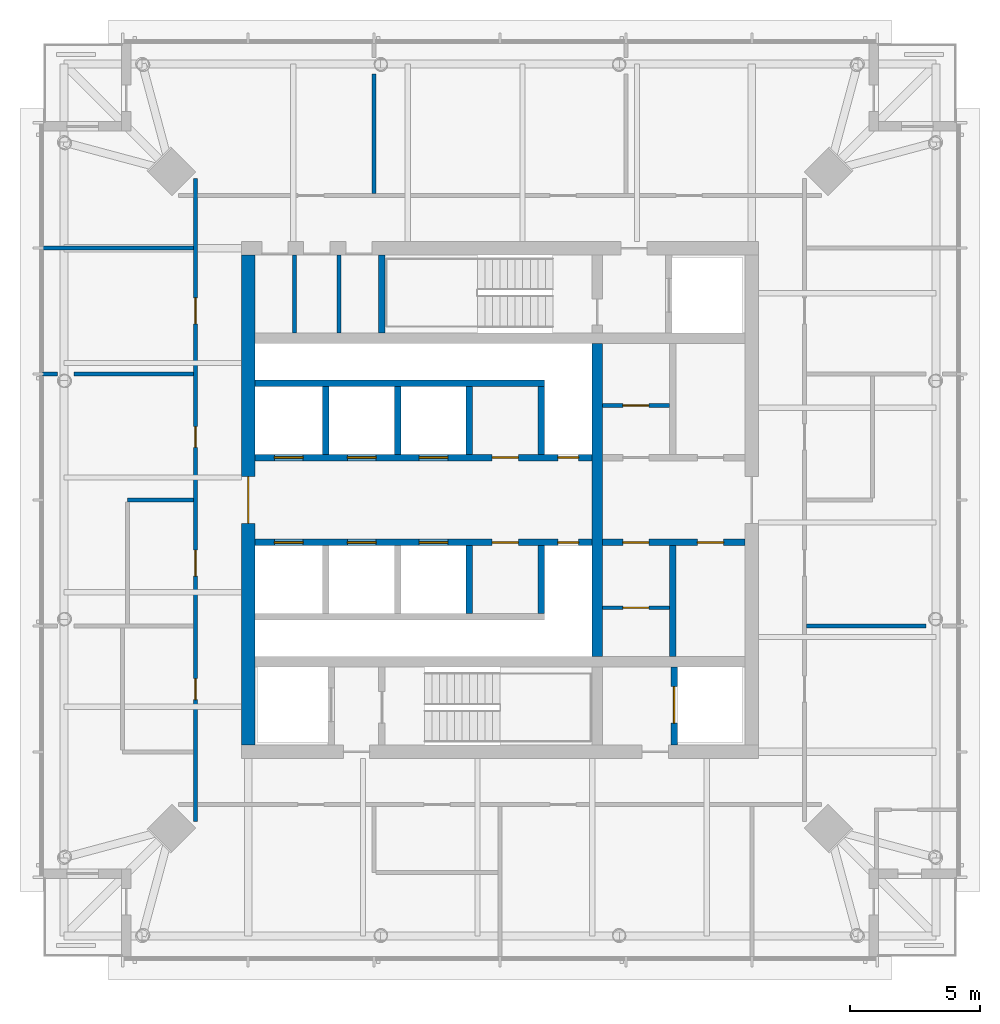
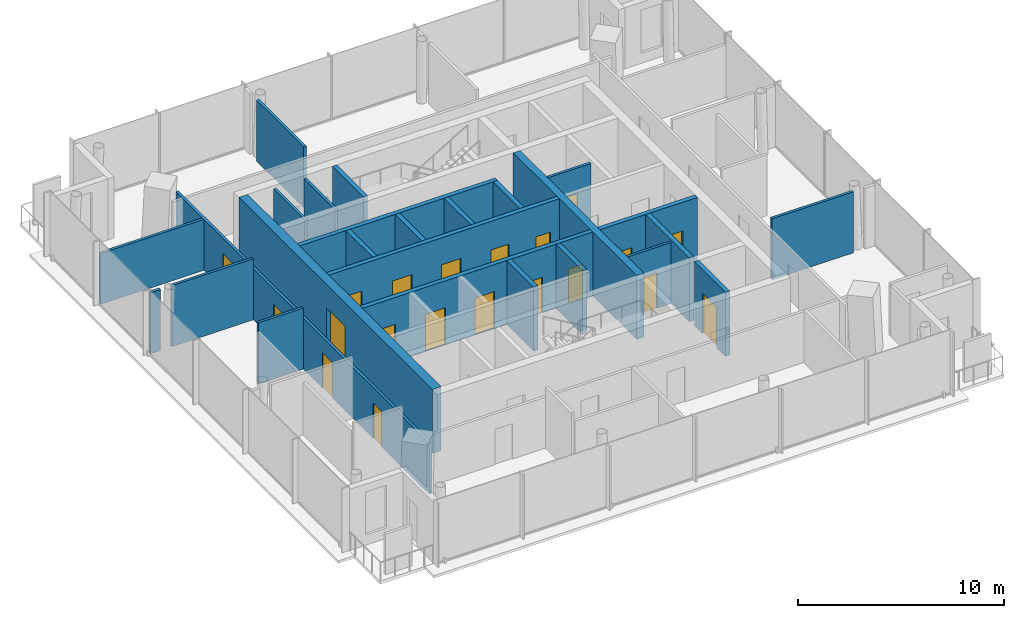
# One storey, part 4 of 11: 26 walls, 20 doors, 20 openings.
"""IFC4 building model written with IfcOpenShell, lengths in metres."""

from ifc_helpers import new_model, si_unit, direction, frame, frame_2d, origin, place, context, subcontext, project, spatial, rectangle, extrude, material, layer, layer_set, type_object, element, fill, save


model = new_model("IFC4")

# Units and contexts
model_context = context("Model", 3, precision=1e-05, world=origin(), true_north=direction((0.0, 1.0)))
body_context = subcontext(model_context, "Body", "Model", "MODEL_VIEW")
ifc_project = project(units=[si_unit("LENGTHUNIT", "METRE"), si_unit("AREAUNIT", "SQUARE_METRE"), si_unit("VOLUMEUNIT", "CUBIC_METRE"), si_unit("PLANEANGLEUNIT", "RADIAN"), si_unit("MASSUNIT", "GRAM", prefix="KILO")], contexts=[model_context])

# Site, building, storey
site_placement = place(None, origin())
site = spatial("IfcSite", under=ifc_project, at=site_placement, CompositionType="ELEMENT")
building_placement = place(site_placement, origin())
building = spatial("IfcBuilding", under=site, at=building_placement, Name="Ostroluk Exchange", CompositionType="ELEMENT")
storey_placement = place(building_placement, frame((0.0, 0.0, 249.0)))
storey = spatial("IfcBuildingStorey", under=building, at=storey_placement, Name="L64", CompositionType="ELEMENT", Elevation=249.0)

# Walls
ifc_material_1 = material(Name="Concrete blockwork", Category="masonry")
ifc_layer_1 = layer(ifc_material_1, 0.14990234375)
ifc_layer_set_1 = layer_set([ifc_layer_1], Name="Blockwork plant room wall 150")
wall_type_1 = type_object("IfcWallType", Name="Blockwork plant room wall 150", PredefinedType="SOLIDWALL", material=ifc_layer_set_1)
for number, where, z_axis, x_axis, name in (
    (1, (37.1201171875, 52.39990234375, 0.0), (0.0, 0.0, 1.0), (0.0, 1.0, 0.0), "Core room wall"),
    (2, (38.830078125, 52.39990234375, 0.0), (0.0, 0.0, 1.0), (0.0, 1.0, 0.0), "Core room wall"),
):
    element("IfcWall", number, at=place(storey_placement, frame(where, z_axis=z_axis, x_axis=x_axis)), inside=storey, type_object=wall_type_1, Name=name, PredefinedType="SOLIDWALL", context=body_context, shape_type="SweptSolid", body=[
        extrude(rectangle(XDim=3.0, YDim=0.14990234375, at=frame_2d((1.5, 0.0))), origin(), (0.0, 0.0, 1.0), 3.6201171875),
    ])

# Wall, opening, door
wall_1_placement = place(storey_placement, frame((48.929931640625, 49.6201171875, 0.0), z_axis=(0.0, 0.0, 1.0), x_axis=(1.0, 0.0, 0.0)))
wall_1 = element("IfcWall", 3, at=wall_1_placement, inside=storey, type_object=wall_type_1, Name="Core room wall", PredefinedType="SOLIDWALL", context=body_context, shape_type="SweptSolid", body=[
    extrude(rectangle(XDim=2.56005859375, YDim=0.14990234375, at=frame_2d((1.280029296875, 0.0))), origin(), (0.0, 0.0, 1.0), 3.6201171875),
])
opening_1_placement = place(wall_1_placement, frame((0.780029296875, 0.0, 0.0)))
opening_1 = element("IfcOpeningElement", 4, at=opening_1_placement, cuts=wall_1, Name="Opening FD60", PredefinedType="OPENING", context=body_context, shape_type="SweptSolid", body=[
    extrude(rectangle(XDim=1.0, YDim=2.10009765625, at=frame_2d((0.5, 1.050048828125))), frame((0.0, 0.0849609375, 0.0), z_axis=(0.0, -1.0, 0.0), x_axis=(1.0, 0.0, 0.0)), (0.0, 0.0, 1.0), 0.169921875),
])
ifc_material_2 = material(Name="Steel", Category="steel")
door_type_1 = type_object("IfcDoorType", Name="Fire door EI 60 1000 x 2100", OperationType="SINGLE_SWING_LEFT", PredefinedType="DOOR", material=ifc_material_2)
door_1_placement = place(opening_1_placement, origin())
door_1 = element("IfcDoor", 5, at=door_1_placement, inside=storey, type_object=door_type_1, Name="Archive store door", OperationType="SINGLE_SWING_LEFT", OverallHeight=2.10009765625, OverallWidth=1.0, PredefinedType="DOOR", context=body_context, shape_type="SweptSolid", body=[
    extrude(rectangle(XDim=1.0, YDim=2.10009765625, at=frame_2d((0.5, 1.050048828125))), frame((0.0, 0.02490234375, 0.0), z_axis=(0.0, -1.0, 0.0), x_axis=(1.0, 0.0, 0.0)), (0.0, 0.0, 1.0), 0.050048828125),
])
fill(opening_1, door_1)

wall_2_placement = place(storey_placement, frame((48.929931640625, 41.8701171875, 0.0), z_axis=(0.0, 0.0, 1.0), x_axis=(1.0, 0.0, 0.0)))
wall_2 = element("IfcWall", 6, at=wall_2_placement, inside=storey, type_object=wall_type_1, Name="Core room wall", PredefinedType="SOLIDWALL", context=body_context, shape_type="SweptSolid", body=[
    extrude(rectangle(XDim=2.56005859375, YDim=0.14990234375, at=frame_2d((1.280029296875, 0.0))), origin(), (0.0, 0.0, 1.0), 3.6201171875),
])
opening_2_placement = place(wall_2_placement, frame((0.780029296875, 0.0, 0.0)))
opening_2 = element("IfcOpeningElement", 7, at=opening_2_placement, cuts=wall_2, Name="Opening FD60", PredefinedType="OPENING", context=body_context, shape_type="SweptSolid", body=[
    extrude(rectangle(XDim=1.0, YDim=2.10009765625, at=frame_2d((0.5, 1.050048828125))), frame((0.0, 0.0849609375, 0.0), z_axis=(0.0, -1.0, 0.0), x_axis=(1.0, 0.0, 0.0)), (0.0, 0.0, 1.0), 0.169921875),
])
door_2_placement = place(opening_2_placement, origin())
door_2 = element("IfcDoor", 8, at=door_2_placement, inside=storey, type_object=door_type_1, Name="Equipment store door", OperationType="SINGLE_SWING_LEFT", OverallHeight=2.10009765625, OverallWidth=1.0, PredefinedType="DOOR", context=body_context, shape_type="SweptSolid", body=[
    extrude(rectangle(XDim=1.0, YDim=2.10009765625, at=frame_2d((0.5, 1.050048828125))), frame((0.0, 0.02490234375, 0.0), z_axis=(0.0, -1.0, 0.0), x_axis=(1.0, 0.0, 0.0)), (0.0, 0.0, 1.0), 0.050048828125),
])
fill(opening_2, door_2)

# Wall
ifc_material_3 = material(Name="Concrete C50/60", Category="concrete")
ifc_layer_2 = layer(ifc_material_3, 0.39990234375)
ifc_layer_set_2 = layer_set([ifc_layer_2], Name="Core cross wall 400 C50/60")
wall_type_2 = type_object("IfcWallType", Name="Core cross wall 400 C50/60", PredefinedType="SHEAR", material=ifc_layer_set_2)
wall_3_placement = place(storey_placement, frame((48.72998046875, 40.0, 0.0), z_axis=(0.0, 0.0, 1.0), x_axis=(0.0, 1.0, 0.0)))
element("IfcWall", 9, at=wall_3_placement, inside=storey, type_object=wall_type_2, Name="T1 core wall YE2", PredefinedType="SHEAR", context=body_context, shape_type="SweptSolid", body=[
    extrude(rectangle(XDim=12.0, YDim=0.39990234375, at=frame_2d((6.0, 0.0))), origin(), (0.0, 0.0, 1.0), 3.800048828125),
])

# Wall, opening, door
ifc_material_4 = material(Name="Concrete C40/50", Category="concrete")
ifc_layer_3 = layer(ifc_material_4, 0.25)
ifc_layer_set_3 = layer_set([ifc_layer_3], Name="Core shaft wall 250")
wall_type_3 = type_object("IfcWallType", Name="Core shaft wall 250", PredefinedType="SHEAR", material=ifc_layer_set_3)
wall_4_placement = place(storey_placement, frame((51.675048828125, 36.60009765625, 0.0), z_axis=(0.0, 0.0, 1.0), x_axis=(0.0, 1.0, 0.0)))
wall_4 = element("IfcWall", 10, at=wall_4_placement, inside=storey, type_object=wall_type_3, Name="Service lift shaft wall", PredefinedType="SHEAR", context=body_context, shape_type="SweptSolid", body=[
    extrude(rectangle(XDim=3.0, YDim=0.25, at=frame_2d((1.5, 0.0))), origin(), (0.0, 0.0, 1.0), 3.800048828125),
])
opening_3_placement = place(wall_4_placement, frame((0.85009765625, 0.0, 0.0)))
opening_3 = element("IfcOpeningElement", 11, at=opening_3_placement, cuts=wall_4, Name="Opening LD3", PredefinedType="OPENING", context=body_context, shape_type="SweptSolid", body=[
    extrude(rectangle(XDim=1.39990234375, YDim=2.39990234375, at=frame_2d((0.699951171875, 1.199951171875))), frame((0.0, 0.135009765625, 0.0), z_axis=(0.0, -1.0, 0.0), x_axis=(1.0, 0.0, 0.0)), (0.0, 0.0, 1.0), 0.27001953125),
])
ifc_material_5 = material(Name="Stainless steel", Category="steel")
door_type_2 = type_object("IfcDoorType", Name="Goods lift landing door E 60 1400 x 2400", OperationType="DOUBLE_DOOR_SLIDING", PredefinedType="DOOR", material=ifc_material_5)
door_3_placement = place(opening_3_placement, origin())
door_3 = element("IfcDoor", 12, at=door_3_placement, inside=storey, type_object=door_type_2, Name="Lift SL1 landing door", OperationType="DOUBLE_DOOR_SLIDING", OverallHeight=2.39990234375, OverallWidth=1.39990234375, PredefinedType="DOOR", context=body_context, shape_type="SweptSolid", body=[
    extrude(rectangle(XDim=1.39990234375, YDim=2.39990234375, at=frame_2d((0.699951171875, 1.199951171875))), frame((0.0, 0.02490234375, 0.0), z_axis=(0.0, -1.0, 0.0), x_axis=(1.0, 0.0, 0.0)), (0.0, 0.0, 1.0), 0.050048828125),
])
fill(opening_3, door_3)

# Walls
wall_5_placement = place(storey_placement, frame((40.47509765625, 52.39990234375, 0.0), z_axis=(0.0, 0.0, 1.0), x_axis=(0.0, 1.0, 0.0)))
element("IfcWall", 13, at=wall_5_placement, inside=storey, type_object=wall_type_3, Name="Stair shaft wall", PredefinedType="SHEAR", context=body_context, shape_type="SweptSolid", body=[
    extrude(rectangle(XDim=3.0, YDim=0.25, at=frame_2d((1.5, 0.0))), origin(), (0.0, 0.0, 1.0), 3.800048828125),
])
for number, where, z_axis, x_axis, name in (
    (14, (38.324951171875, 47.75, 0.0), (0.0, 0.0, 1.0), (0.0, 1.0, 0.0), "Lift shaft wall"),
    (15, (41.074951171875, 47.75, 0.0), (0.0, 0.0, 1.0), (0.0, 1.0, 0.0), "Lift shaft wall"),
    (16, (43.824951171875, 47.75, 0.0), (0.0, 0.0, 1.0), (0.0, 1.0, 0.0), "Lift shaft wall"),
    (17, (46.574951171875, 47.75, 0.0), (0.0, 0.0, 1.0), (0.0, 1.0, 0.0), "Lift shaft wall"),
):
    element("IfcWall", number, at=place(storey_placement, frame(where, z_axis=z_axis, x_axis=x_axis)), inside=storey, type_object=wall_type_3, Name=name, PredefinedType="SHEAR", context=body_context, shape_type="SweptSolid", body=[
        extrude(rectangle(XDim=2.60009765625, YDim=0.25, at=frame_2d((1.300048828125, 0.0))), origin(), (0.0, 0.0, 1.0), 3.800048828125),
    ])
wall_6_placement = place(storey_placement, frame((35.60009765625, 50.47509765625, 0.0), z_axis=(0.0, 0.0, 1.0), x_axis=(1.0, 0.0, 0.0)))
element("IfcWall", 18, at=wall_6_placement, inside=storey, type_object=wall_type_3, Name="Lift shaft wall", PredefinedType="SHEAR", context=body_context, shape_type="SweptSolid", body=[
    extrude(rectangle(XDim=11.099853515625, YDim=0.25, at=frame_2d((5.5498046875, 0.0))), origin(), (0.0, 0.0, 1.0), 3.800048828125),
])

# Wall, openings, doors
wall_7_placement = place(storey_placement, frame((35.60009765625, 47.625, 0.0), z_axis=(0.0, 0.0, 1.0), x_axis=(1.0, 0.0, 0.0)))
wall_7 = element("IfcWall", 19, at=wall_7_placement, inside=storey, type_object=wall_type_3, Name="Lift shaft front wall", PredefinedType="SHEAR", context=body_context, shape_type="SweptSolid", body=[
    extrude(rectangle(XDim=12.929931640625, YDim=0.25, at=frame_2d((6.46484375, 0.0))), origin(), (0.0, 0.0, 1.0), 3.800048828125),
])
opening_4_placement = place(wall_7_placement, frame((0.75, 0.0, 0.0)))
opening_4 = element("IfcOpeningElement", 20, at=opening_4_placement, cuts=wall_7, Name="Opening LD", PredefinedType="OPENING", context=body_context, shape_type="SweptSolid", body=[
    extrude(rectangle(XDim=1.10009765625, YDim=2.199951171875, at=frame_2d((0.550048828125, 1.10009765625))), frame((0.0, 0.135009765625, 0.0), z_axis=(0.0, -1.0, 0.0), x_axis=(1.0, 0.0, 0.0)), (0.0, 0.0, 1.0), 0.27001953125),
])
opening_5_placement = place(wall_7_placement, frame((3.550048828125, 0.0, 0.0)))
opening_5 = element("IfcOpeningElement", 21, at=opening_5_placement, cuts=wall_7, Name="Opening LD", PredefinedType="OPENING", context=body_context, shape_type="SweptSolid", body=[
    extrude(rectangle(XDim=1.10009765625, YDim=2.199951171875, at=frame_2d((0.550048828125, 1.10009765625))), frame((0.0, 0.135009765625, 0.0), z_axis=(0.0, -1.0, 0.0), x_axis=(1.0, 0.0, 0.0)), (0.0, 0.0, 1.0), 0.27001953125),
])
opening_6_placement = place(wall_7_placement, frame((6.300048828125, 0.0, 0.0)))
opening_6 = element("IfcOpeningElement", 22, at=opening_6_placement, cuts=wall_7, Name="Opening LD", PredefinedType="OPENING", context=body_context, shape_type="SweptSolid", body=[
    extrude(rectangle(XDim=1.10009765625, YDim=2.199951171875, at=frame_2d((0.550048828125, 1.10009765625))), frame((0.0, 0.135009765625, 0.0), z_axis=(0.0, -1.0, 0.0), x_axis=(1.0, 0.0, 0.0)), (0.0, 0.0, 1.0), 0.27001953125),
])
opening_7_placement = place(wall_7_placement, frame((9.10009765625, 0.0, 0.0)))
opening_7 = element("IfcOpeningElement", 23, at=opening_7_placement, cuts=wall_7, Name="Opening FD60", PredefinedType="OPENING", context=body_context, shape_type="SweptSolid", body=[
    extrude(rectangle(XDim=1.0, YDim=2.10009765625, at=frame_2d((0.5, 1.050048828125))), frame((0.0, 0.135009765625, 0.0), z_axis=(0.0, -1.0, 0.0), x_axis=(1.0, 0.0, 0.0)), (0.0, 0.0, 1.0), 0.27001953125),
])
opening_8_placement = place(wall_7_placement, frame((11.614990234375, 0.0, 0.0)))
opening_8 = element("IfcOpeningElement", 24, at=opening_8_placement, cuts=wall_7, Name="Opening RD60", PredefinedType="OPENING", context=body_context, shape_type="SweptSolid", body=[
    extrude(rectangle(XDim=0.800048828125, YDim=2.0, at=frame_2d((0.39990234375, 1.0))), frame((0.0, 0.135009765625, 0.0), z_axis=(0.0, -1.0, 0.0), x_axis=(1.0, 0.0, 0.0)), (0.0, 0.0, 1.0), 0.27001953125),
])
door_4_placement = place(opening_7_placement, origin())
door_4 = element("IfcDoor", 25, at=door_4_placement, inside=storey, type_object=door_type_1, Name="Core room door", OperationType="SINGLE_SWING_RIGHT", OverallHeight=2.10009765625, OverallWidth=1.0, PredefinedType="DOOR", context=body_context, shape_type="SweptSolid", body=[
    extrude(rectangle(XDim=1.0, YDim=2.10009765625, at=frame_2d((0.5, 1.050048828125))), frame((0.0, 0.02490234375, 0.0), z_axis=(0.0, -1.0, 0.0), x_axis=(1.0, 0.0, 0.0)), (0.0, 0.0, 1.0), 0.050048828125),
])
fill(opening_7, door_4)
ifc_material_6 = material(Name="Stainless steel", Category="steel")
door_type_3 = type_object("IfcDoorType", Name="Lift landing door E 60 1100 x 2200", OperationType="DOUBLE_DOOR_SLIDING", PredefinedType="DOOR", material=ifc_material_6)
door_5_placement = place(opening_4_placement, origin())
door_5 = element("IfcDoor", 26, at=door_5_placement, inside=storey, type_object=door_type_3, Name="Lift PL-T1 landing door", OperationType="DOUBLE_DOOR_SLIDING", OverallHeight=2.199951171875, OverallWidth=1.10009765625, PredefinedType="DOOR", context=body_context, shape_type="SweptSolid", body=[
    extrude(rectangle(XDim=1.10009765625, YDim=2.199951171875, at=frame_2d((0.550048828125, 1.10009765625))), frame((0.0, 0.02490234375, 0.0), z_axis=(0.0, -1.0, 0.0), x_axis=(1.0, 0.0, 0.0)), (0.0, 0.0, 1.0), 0.050048828125),
])
fill(opening_4, door_5)
door_6_placement = place(opening_5_placement, origin())
door_6 = element("IfcDoor", 27, at=door_6_placement, inside=storey, type_object=door_type_3, Name="Lift PL-T2 landing door", OperationType="DOUBLE_DOOR_SLIDING", OverallHeight=2.199951171875, OverallWidth=1.10009765625, PredefinedType="DOOR", context=body_context, shape_type="SweptSolid", body=[
    extrude(rectangle(XDim=1.10009765625, YDim=2.199951171875, at=frame_2d((0.550048828125, 1.10009765625))), frame((0.0, 0.02490234375, 0.0), z_axis=(0.0, -1.0, 0.0), x_axis=(1.0, 0.0, 0.0)), (0.0, 0.0, 1.0), 0.050048828125),
])
fill(opening_5, door_6)
door_7_placement = place(opening_6_placement, origin())
door_7 = element("IfcDoor", 28, at=door_7_placement, inside=storey, type_object=door_type_3, Name="Lift PL-T3 landing door", OperationType="DOUBLE_DOOR_SLIDING", OverallHeight=2.199951171875, OverallWidth=1.10009765625, PredefinedType="DOOR", context=body_context, shape_type="SweptSolid", body=[
    extrude(rectangle(XDim=1.10009765625, YDim=2.199951171875, at=frame_2d((0.550048828125, 1.10009765625))), frame((0.0, 0.02490234375, 0.0), z_axis=(0.0, -1.0, 0.0), x_axis=(1.0, 0.0, 0.0)), (0.0, 0.0, 1.0), 0.050048828125),
])
fill(opening_6, door_7)
ifc_material_7 = material(Name="Steel", Category="steel")
door_type_4 = type_object("IfcDoorType", Name="Riser access door EI 60 800 x 2000", OperationType="SINGLE_SWING_LEFT", PredefinedType="DOOR", material=ifc_material_7)
door_8_placement = place(opening_8_placement, origin())
door_8 = element("IfcDoor", 29, at=door_8_placement, inside=storey, type_object=door_type_4, Name="Riser access door", OperationType="SINGLE_SWING_RIGHT", OverallHeight=2.0, OverallWidth=0.800048828125, PredefinedType="DOOR", context=body_context, shape_type="SweptSolid", body=[
    extrude(rectangle(XDim=0.800048828125, YDim=2.0, at=frame_2d((0.39990234375, 1.0))), frame((0.0, 0.02490234375, 0.0), z_axis=(0.0, -1.0, 0.0), x_axis=(1.0, 0.0, 0.0)), (0.0, 0.0, 1.0), 0.050048828125),
])
fill(opening_8, door_8)

# Walls
for number, where, z_axis, x_axis, name in (
    (30, (43.824951171875, 44.25, 0.0), (0.0, 0.0, 1.0), (0.0, -1.0, 0.0), "Lift shaft wall"),
    (31, (46.574951171875, 44.25, 0.0), (0.0, 0.0, 1.0), (0.0, -1.0, 0.0), "Lift shaft wall"),
):
    element("IfcWall", number, at=place(storey_placement, frame(where, z_axis=z_axis, x_axis=x_axis)), inside=storey, type_object=wall_type_3, Name=name, PredefinedType="SHEAR", context=body_context, shape_type="SweptSolid", body=[
        extrude(rectangle(XDim=2.60009765625, YDim=0.25, at=frame_2d((1.300048828125, 0.0))), origin(), (0.0, 0.0, 1.0), 3.800048828125),
    ])

# Wall, openings, doors
wall_8_placement = place(storey_placement, frame((35.60009765625, 44.375, 0.0), z_axis=(0.0, 0.0, 1.0), x_axis=(1.0, 0.0, 0.0)))
wall_8 = element("IfcWall", 32, at=wall_8_placement, inside=storey, type_object=wall_type_3, Name="Lift shaft front wall", PredefinedType="SHEAR", context=body_context, shape_type="SweptSolid", body=[
    extrude(rectangle(XDim=12.929931640625, YDim=0.25, at=frame_2d((6.46484375, 0.0))), origin(), (0.0, 0.0, 1.0), 3.800048828125),
])
opening_9_placement = place(wall_8_placement, frame((0.75, 0.0, 0.0)))
opening_9 = element("IfcOpeningElement", 33, at=opening_9_placement, cuts=wall_8, Name="Opening LD", PredefinedType="OPENING", context=body_context, shape_type="SweptSolid", body=[
    extrude(rectangle(XDim=1.10009765625, YDim=2.199951171875, at=frame_2d((0.550048828125, 1.10009765625))), frame((0.0, 0.135009765625, 0.0), z_axis=(0.0, -1.0, 0.0), x_axis=(1.0, 0.0, 0.0)), (0.0, 0.0, 1.0), 0.27001953125),
])
opening_10_placement = place(wall_8_placement, frame((3.550048828125, 0.0, 0.0)))
opening_10 = element("IfcOpeningElement", 34, at=opening_10_placement, cuts=wall_8, Name="Opening LD", PredefinedType="OPENING", context=body_context, shape_type="SweptSolid", body=[
    extrude(rectangle(XDim=1.10009765625, YDim=2.199951171875, at=frame_2d((0.550048828125, 1.10009765625))), frame((0.0, 0.135009765625, 0.0), z_axis=(0.0, -1.0, 0.0), x_axis=(1.0, 0.0, 0.0)), (0.0, 0.0, 1.0), 0.27001953125),
])
opening_11_placement = place(wall_8_placement, frame((6.300048828125, 0.0, 0.0)))
opening_11 = element("IfcOpeningElement", 35, at=opening_11_placement, cuts=wall_8, Name="Opening LD", PredefinedType="OPENING", context=body_context, shape_type="SweptSolid", body=[
    extrude(rectangle(XDim=1.10009765625, YDim=2.199951171875, at=frame_2d((0.550048828125, 1.10009765625))), frame((0.0, 0.135009765625, 0.0), z_axis=(0.0, -1.0, 0.0), x_axis=(1.0, 0.0, 0.0)), (0.0, 0.0, 1.0), 0.27001953125),
])
opening_12_placement = place(wall_8_placement, frame((9.10009765625, 0.0, 0.0)))
opening_12 = element("IfcOpeningElement", 36, at=opening_12_placement, cuts=wall_8, Name="Opening FD60", PredefinedType="OPENING", context=body_context, shape_type="SweptSolid", body=[
    extrude(rectangle(XDim=1.0, YDim=2.10009765625, at=frame_2d((0.5, 1.050048828125))), frame((0.0, 0.135009765625, 0.0), z_axis=(0.0, -1.0, 0.0), x_axis=(1.0, 0.0, 0.0)), (0.0, 0.0, 1.0), 0.27001953125),
])
opening_13_placement = place(wall_8_placement, frame((11.614990234375, 0.0, 0.0)))
opening_13 = element("IfcOpeningElement", 37, at=opening_13_placement, cuts=wall_8, Name="Opening RD60", PredefinedType="OPENING", context=body_context, shape_type="SweptSolid", body=[
    extrude(rectangle(XDim=0.800048828125, YDim=2.0, at=frame_2d((0.39990234375, 1.0))), frame((0.0, 0.135009765625, 0.0), z_axis=(0.0, -1.0, 0.0), x_axis=(1.0, 0.0, 0.0)), (0.0, 0.0, 1.0), 0.27001953125),
])
door_9_placement = place(opening_12_placement, origin())
door_9 = element("IfcDoor", 38, at=door_9_placement, inside=storey, type_object=door_type_1, Name="Core room door", OperationType="SINGLE_SWING_RIGHT", OverallHeight=2.10009765625, OverallWidth=1.0, PredefinedType="DOOR", context=body_context, shape_type="SweptSolid", body=[
    extrude(rectangle(XDim=1.0, YDim=2.10009765625, at=frame_2d((0.5, 1.050048828125))), frame((0.0, 0.02490234375, 0.0), z_axis=(0.0, -1.0, 0.0), x_axis=(1.0, 0.0, 0.0)), (0.0, 0.0, 1.0), 0.050048828125),
])
fill(opening_12, door_9)
door_10_placement = place(opening_9_placement, origin())
door_10 = element("IfcDoor", 39, at=door_10_placement, inside=storey, type_object=door_type_3, Name="Lift PL-T4 landing door", OperationType="DOUBLE_DOOR_SLIDING", OverallHeight=2.199951171875, OverallWidth=1.10009765625, PredefinedType="DOOR", context=body_context, shape_type="SweptSolid", body=[
    extrude(rectangle(XDim=1.10009765625, YDim=2.199951171875, at=frame_2d((0.550048828125, 1.10009765625))), frame((0.0, 0.02490234375, 0.0), z_axis=(0.0, -1.0, 0.0), x_axis=(1.0, 0.0, 0.0)), (0.0, 0.0, 1.0), 0.050048828125),
])
fill(opening_9, door_10)
door_11_placement = place(opening_10_placement, origin())
door_11 = element("IfcDoor", 40, at=door_11_placement, inside=storey, type_object=door_type_3, Name="Lift PL-T5 landing door", OperationType="DOUBLE_DOOR_SLIDING", OverallHeight=2.199951171875, OverallWidth=1.10009765625, PredefinedType="DOOR", context=body_context, shape_type="SweptSolid", body=[
    extrude(rectangle(XDim=1.10009765625, YDim=2.199951171875, at=frame_2d((0.550048828125, 1.10009765625))), frame((0.0, 0.02490234375, 0.0), z_axis=(0.0, -1.0, 0.0), x_axis=(1.0, 0.0, 0.0)), (0.0, 0.0, 1.0), 0.050048828125),
])
fill(opening_10, door_11)
door_12_placement = place(opening_11_placement, origin())
door_12 = element("IfcDoor", 41, at=door_12_placement, inside=storey, type_object=door_type_3, Name="Lift PL-T6 landing door", OperationType="DOUBLE_DOOR_SLIDING", OverallHeight=2.199951171875, OverallWidth=1.10009765625, PredefinedType="DOOR", context=body_context, shape_type="SweptSolid", body=[
    extrude(rectangle(XDim=1.10009765625, YDim=2.199951171875, at=frame_2d((0.550048828125, 1.10009765625))), frame((0.0, 0.02490234375, 0.0), z_axis=(0.0, -1.0, 0.0), x_axis=(1.0, 0.0, 0.0)), (0.0, 0.0, 1.0), 0.050048828125),
])
fill(opening_11, door_12)
door_13_placement = place(opening_13_placement, origin())
door_13 = element("IfcDoor", 42, at=door_13_placement, inside=storey, type_object=door_type_4, Name="Riser access door", OperationType="SINGLE_SWING_RIGHT", OverallHeight=2.0, OverallWidth=0.800048828125, PredefinedType="DOOR", context=body_context, shape_type="SweptSolid", body=[
    extrude(rectangle(XDim=0.800048828125, YDim=2.0, at=frame_2d((0.39990234375, 1.0))), frame((0.0, 0.02490234375, 0.0), z_axis=(0.0, -1.0, 0.0), x_axis=(1.0, 0.0, 0.0)), (0.0, 0.0, 1.0), 0.050048828125),
])
fill(opening_13, door_13)

# Wall
wall_9_placement = place(storey_placement, frame((51.614990234375, 44.25, 0.0), z_axis=(0.0, 0.0, 1.0), x_axis=(0.0, -1.0, 0.0)))
element("IfcWall", 43, at=wall_9_placement, inside=storey, type_object=wall_type_3, Name="Lift shaft wall", PredefinedType="SHEAR", context=body_context, shape_type="SweptSolid", body=[
    extrude(rectangle(XDim=4.25, YDim=0.25, at=frame_2d((2.125, 0.0))), origin(), (0.0, 0.0, 1.0), 3.800048828125),
])

# Wall, openings, doors
wall_10_placement = place(storey_placement, frame((48.929931640625, 44.375, 0.0), z_axis=(0.0, 0.0, 1.0), x_axis=(1.0, 0.0, 0.0)))
wall_10 = element("IfcWall", 44, at=wall_10_placement, inside=storey, type_object=wall_type_3, Name="Lift shaft front wall", PredefinedType="SHEAR", context=body_context, shape_type="SweptSolid", body=[
    extrude(rectangle(XDim=5.469970703125, YDim=0.25, at=frame_2d((2.73486328125, 0.0))), origin(), (0.0, 0.0, 1.0), 3.800048828125),
])
opening_14_placement = place(wall_10_placement, frame((0.780029296875, 0.0, 0.0)))
opening_14 = element("IfcOpeningElement", 45, at=opening_14_placement, cuts=wall_10, Name="Opening FD60", PredefinedType="OPENING", context=body_context, shape_type="SweptSolid", body=[
    extrude(rectangle(XDim=1.0, YDim=2.10009765625, at=frame_2d((0.5, 1.050048828125))), frame((0.0, 0.135009765625, 0.0), z_axis=(0.0, -1.0, 0.0), x_axis=(1.0, 0.0, 0.0)), (0.0, 0.0, 1.0), 0.27001953125),
])
opening_15_placement = place(wall_10_placement, frame((3.639892578125, 0.0, 0.0)))
opening_15 = element("IfcOpeningElement", 46, at=opening_15_placement, cuts=wall_10, Name="Opening FD60", PredefinedType="OPENING", context=body_context, shape_type="SweptSolid", body=[
    extrude(rectangle(XDim=1.0, YDim=2.10009765625, at=frame_2d((0.5, 1.050048828125))), frame((0.0, 0.135009765625, 0.0), z_axis=(0.0, -1.0, 0.0), x_axis=(1.0, 0.0, 0.0)), (0.0, 0.0, 1.0), 0.27001953125),
])
door_14_placement = place(opening_14_placement, origin())
door_14 = element("IfcDoor", 47, at=door_14_placement, inside=storey, type_object=door_type_1, Name="Core room door", OperationType="SINGLE_SWING_LEFT", OverallHeight=2.10009765625, OverallWidth=1.0, PredefinedType="DOOR", context=body_context, shape_type="SweptSolid", body=[
    extrude(rectangle(XDim=1.0, YDim=2.10009765625, at=frame_2d((0.5, 1.050048828125))), frame((0.0, 0.02490234375, 0.0), z_axis=(0.0, -1.0, 0.0), x_axis=(1.0, 0.0, 0.0)), (0.0, 0.0, 1.0), 0.050048828125),
])
fill(opening_14, door_14)
door_15_placement = place(opening_15_placement, origin())
door_15 = element("IfcDoor", 48, at=door_15_placement, inside=storey, type_object=door_type_1, Name="Core room door", OperationType="SINGLE_SWING_RIGHT", OverallHeight=2.10009765625, OverallWidth=1.0, PredefinedType="DOOR", context=body_context, shape_type="SweptSolid", body=[
    extrude(rectangle(XDim=1.0, YDim=2.10009765625, at=frame_2d((0.5, 1.050048828125))), frame((0.0, 0.02490234375, 0.0), z_axis=(0.0, -1.0, 0.0), x_axis=(1.0, 0.0, 0.0)), (0.0, 0.0, 1.0), 0.050048828125),
])
fill(opening_15, door_15)

# Wall, opening, door
ifc_material_8 = material(Name="Concrete C50/60", Category="concrete")
ifc_layer_4 = layer(ifc_material_8, 0.5)
ifc_layer_set_4 = layer_set([ifc_layer_4], Name="Core wall 500 C50/60")
wall_type_4 = type_object("IfcWallType", Name="Core wall 500 C50/60", PredefinedType="SHEAR", material=ifc_layer_set_4)
wall_11_placement = place(storey_placement, frame((35.35009765625, 36.60009765625, 0.0), z_axis=(0.0, 0.0, 1.0), x_axis=(0.0, 1.0, 0.0)))
wall_11 = element("IfcWall", 49, at=wall_11_placement, inside=storey, type_object=wall_type_4, Name="T1 core wall W", PredefinedType="SHEAR", context=body_context, shape_type="SweptSolid", body=[
    extrude(rectangle(XDim=18.7998046875, YDim=0.5, at=frame_2d((9.39990234375, 0.0))), origin(), (0.0, 0.0, 1.0), 3.800048828125),
])
opening_16_placement = place(wall_11_placement, frame((8.5, 0.0, 0.0)))
opening_16 = element("IfcOpeningElement", 50, at=opening_16_placement, cuts=wall_11, Name="Opening FD30D", PredefinedType="OPENING", context=body_context, shape_type="SweptSolid", body=[
    extrude(rectangle(XDim=1.800048828125, YDim=2.39990234375, at=frame_2d((0.89990234375, 1.199951171875))), frame((0.0, 0.260009765625, 0.0), z_axis=(0.0, -1.0, 0.0), x_axis=(1.0, 0.0, 0.0)), (0.0, 0.0, 1.0), 0.52001953125),
])
ifc_material_9 = material(Name="Timber", Category="wood")
door_type_5 = type_object("IfcDoorType", Name="Lobby double door EI 30 1800 x 2400", OperationType="DOUBLE_DOOR_SINGLE_SWING", PredefinedType="DOOR", material=ifc_material_9)
door_16_placement = place(opening_16_placement, origin())
door_16 = element("IfcDoor", 51, at=door_16_placement, inside=storey, type_object=door_type_5, Name="Lift lobby doors", OperationType="DOUBLE_DOOR_SINGLE_SWING", OverallHeight=2.39990234375, OverallWidth=1.800048828125, PredefinedType="DOOR", context=body_context, shape_type="SweptSolid", body=[
    extrude(rectangle(XDim=1.800048828125, YDim=2.39990234375, at=frame_2d((0.89990234375, 1.199951171875))), frame((0.0, 0.02490234375, 0.0), z_axis=(0.0, -1.0, 0.0), x_axis=(1.0, 0.0, 0.0)), (0.0, 0.0, 1.0), 0.050048828125),
])
fill(opening_16, door_16)

# Walls
ifc_material_10 = material(Name="Gypsum plasterboard partition", Category="gypsum")
ifc_layer_5 = layer(ifc_material_10, 0.14990234375)
ifc_layer_set_5 = layer_set([ifc_layer_5], Name="Plasterboard partition 150")
wall_type_5 = type_object("IfcWallType", Name="Plasterboard partition 150", PredefinedType="PARTITIONING", material=ifc_layer_set_5)
for number, where, z_axis, x_axis, name in (
    (52, (56.75, 41.166748046875, 0.0), (0.0, 0.0, 1.0), (1.0, 0.0, 0.0), "Partition"),
    (53, (40.166748046875, 57.75, 0.0), (0.0, 0.0, 1.0), (0.0, 1.0, 0.0), "Partition"),
):
    element("IfcWall", number, at=place(storey_placement, frame(where, z_axis=z_axis, x_axis=x_axis)), inside=storey, type_object=wall_type_5, Name=name, PredefinedType="PARTITIONING", context=body_context, shape_type="SweptSolid", body=[
        extrude(rectangle(XDim=4.5888671875, YDim=0.14990234375, at=frame_2d((2.29443359375, 0.0))), origin(), (0.0, 0.0, 1.0), 3.6201171875),
    ])

# Wall, openings, doors
wall_12_placement = place(storey_placement, frame((33.324951171875, 58.31640625, 0.0), z_axis=(0.0, 0.0, 1.0), x_axis=(0.0, -1.0, 0.0)))
wall_12 = element("IfcWall", 54, at=wall_12_placement, inside=storey, type_object=wall_type_5, Name="Partition", PredefinedType="PARTITIONING", context=body_context, shape_type="SweptSolid", body=[
    extrude(rectangle(XDim=24.6328125, YDim=0.14990234375, at=frame_2d((12.31640625, 0.0))), origin(), (0.0, 0.0, 1.0), 3.02001953125),
])
opening_17_placement = place(wall_12_placement, frame((4.56640625, 0.0, 0.0)))
opening_17 = element("IfcOpeningElement", 55, at=opening_17_placement, cuts=wall_12, Name="Opening D-03", PredefinedType="OPENING", context=body_context, shape_type="SweptSolid", body=[
    extrude(rectangle(XDim=1.0, YDim=2.10009765625, at=frame_2d((0.5, 1.050048828125))), frame((0.0, 0.0849609375, 0.0), z_axis=(0.0, -1.0, 0.0), x_axis=(1.0, 0.0, 0.0)), (0.0, 0.0, 1.0), 0.169921875),
])
opening_18_placement = place(wall_12_placement, frame((9.499755859375, 0.0, 0.0)))
opening_18 = element("IfcOpeningElement", 56, at=opening_18_placement, cuts=wall_12, Name="Opening D-06", PredefinedType="OPENING", context=body_context, shape_type="SweptSolid", body=[
    extrude(rectangle(XDim=0.800048828125, YDim=2.10009765625, at=frame_2d((0.39990234375, 1.050048828125))), frame((0.0, 0.0849609375, 0.0), z_axis=(0.0, -1.0, 0.0), x_axis=(1.0, 0.0, 0.0)), (0.0, 0.0, 1.0), 0.169921875),
])
opening_19_placement = place(wall_12_placement, frame((14.233154296875, 0.0, 0.0)))
opening_19 = element("IfcOpeningElement", 57, at=opening_19_placement, cuts=wall_12, Name="Opening D-03", PredefinedType="OPENING", context=body_context, shape_type="SweptSolid", body=[
    extrude(rectangle(XDim=1.0, YDim=2.10009765625, at=frame_2d((0.5, 1.050048828125))), frame((0.0, 0.0849609375, 0.0), z_axis=(0.0, -1.0, 0.0), x_axis=(1.0, 0.0, 0.0)), (0.0, 0.0, 1.0), 0.169921875),
])
opening_20_placement = place(wall_12_placement, frame((19.16650390625, 0.0, 0.0)))
opening_20 = element("IfcOpeningElement", 58, at=opening_20_placement, cuts=wall_12, Name="Opening D-06", PredefinedType="OPENING", context=body_context, shape_type="SweptSolid", body=[
    extrude(rectangle(XDim=0.800048828125, YDim=2.10009765625, at=frame_2d((0.39990234375, 1.050048828125))), frame((0.0, 0.0849609375, 0.0), z_axis=(0.0, -1.0, 0.0), x_axis=(1.0, 0.0, 0.0)), (0.0, 0.0, 1.0), 0.169921875),
])
ifc_material_11 = material(Name="Timber", Category="wood")
door_type_6 = type_object("IfcDoorType", Name="Internal door 1000 x 2100", OperationType="SINGLE_SWING_LEFT", PredefinedType="DOOR", material=ifc_material_11)
door_17_placement = place(opening_17_placement, origin())
door_17 = element("IfcDoor", 59, at=door_17_placement, inside=storey, type_object=door_type_6, Name="Office door", OperationType="SINGLE_SWING_LEFT", OverallHeight=2.10009765625, OverallWidth=1.0, PredefinedType="DOOR", context=body_context, shape_type="SweptSolid", body=[
    extrude(rectangle(XDim=1.0, YDim=2.10009765625, at=frame_2d((0.5, 1.050048828125))), frame((0.0, 0.02490234375, 0.0), z_axis=(0.0, -1.0, 0.0), x_axis=(1.0, 0.0, 0.0)), (0.0, 0.0, 1.0), 0.050048828125),
])
fill(opening_17, door_17)
door_18_placement = place(opening_19_placement, origin())
door_18 = element("IfcDoor", 60, at=door_18_placement, inside=storey, type_object=door_type_6, Name="Accessible WC door", OperationType="SINGLE_SWING_RIGHT", OverallHeight=2.10009765625, OverallWidth=1.0, PredefinedType="DOOR", context=body_context, shape_type="SweptSolid", body=[
    extrude(rectangle(XDim=1.0, YDim=2.10009765625, at=frame_2d((0.5, 1.050048828125))), frame((0.0, 0.02490234375, 0.0), z_axis=(0.0, -1.0, 0.0), x_axis=(1.0, 0.0, 0.0)), (0.0, 0.0, 1.0), 0.050048828125),
])
fill(opening_19, door_18)
ifc_material_12 = material(Name="Timber", Category="wood")
door_type_7 = type_object("IfcDoorType", Name="Toilet door 800 x 2100", OperationType="SINGLE_SWING_LEFT", PredefinedType="DOOR", material=ifc_material_12)
door_19_placement = place(opening_18_placement, origin())
door_19 = element("IfcDoor", 61, at=door_19_placement, inside=storey, type_object=door_type_7, Name="WC female door", OperationType="SINGLE_SWING_LEFT", OverallHeight=2.10009765625, OverallWidth=0.800048828125, PredefinedType="DOOR", context=body_context, shape_type="SweptSolid", body=[
    extrude(rectangle(XDim=0.800048828125, YDim=2.10009765625, at=frame_2d((0.39990234375, 1.050048828125))), frame((0.0, 0.02490234375, 0.0), z_axis=(0.0, -1.0, 0.0), x_axis=(1.0, 0.0, 0.0)), (0.0, 0.0, 1.0), 0.050048828125),
])
fill(opening_18, door_19)
door_20_placement = place(opening_20_placement, origin())
door_20 = element("IfcDoor", 62, at=door_20_placement, inside=storey, type_object=door_type_7, Name="WC male door", OperationType="SINGLE_SWING_RIGHT", OverallHeight=2.10009765625, OverallWidth=0.800048828125, PredefinedType="DOOR", context=body_context, shape_type="SweptSolid", body=[
    extrude(rectangle(XDim=0.800048828125, YDim=2.10009765625, at=frame_2d((0.39990234375, 1.050048828125))), frame((0.0, 0.02490234375, 0.0), z_axis=(0.0, -1.0, 0.0), x_axis=(1.0, 0.0, 0.0)), (0.0, 0.0, 1.0), 0.050048828125),
])
fill(opening_20, door_20)

# Walls
wall_13_placement = place(storey_placement, frame((33.25, 55.666748046875, 0.0), z_axis=(0.0, 0.0, 1.0), x_axis=(-1.0, 0.0, 0.0)))
element("IfcWall", 63, at=wall_13_placement, inside=storey, type_object=wall_type_5, Name="Partition", PredefinedType="PARTITIONING", context=body_context, shape_type="SweptSolid", body=[
    extrude(rectangle(XDim=5.7900390625, YDim=0.14990234375, at=frame_2d((2.89501953125, 0.0))), origin(), (0.0, 0.0, 1.0), 3.02001953125),
])
wall_14_placement = place(storey_placement, frame((33.25, 50.833251953125, 0.0), z_axis=(0.0, 0.0, 1.0), x_axis=(-1.0, 0.0, 0.0)))
element("IfcWall", 64, at=wall_14_placement, inside=storey, type_object=wall_type_5, Name="Partition", PredefinedType="PARTITIONING", context=body_context, shape_type="SweptSolid", body=[
    extrude(rectangle(XDim=4.5888671875, YDim=0.14990234375, at=frame_2d((2.29443359375, 0.0))), origin(), (0.0, 0.0, 1.0), 3.6201171875),
])
wall_15_placement = place(storey_placement, frame((28.03173828125, 50.833251953125, 0.0), z_axis=(0.0, 0.0, 1.0), x_axis=(-1.0, 0.0, 0.0)))
element("IfcWall", 65, at=wall_15_placement, inside=storey, type_object=wall_type_5, Name="Partition", PredefinedType="PARTITIONING", context=body_context, shape_type="SweptSolid", body=[
    extrude(rectangle(XDim=0.57177734375, YDim=0.14990234375, at=frame_2d((0.285888671875, 0.0))), origin(), (0.0, 0.0, 1.0), 3.6201171875),
])
wall_16_placement = place(storey_placement, frame((33.25, 46.0, 0.0), z_axis=(0.0, 0.0, 1.0), x_axis=(-1.0, 0.0, 0.0)))
element("IfcWall", 66, at=wall_16_placement, inside=storey, type_object=wall_type_5, Name="Partition", PredefinedType="PARTITIONING", context=body_context, shape_type="SweptSolid", body=[
    extrude(rectangle(XDim=2.52490234375, YDim=0.14990234375, at=frame_2d((1.262451171875, 0.0))), origin(), (0.0, 0.0, 1.0), 3.6201171875),
])

save(model, "model.ifc")
